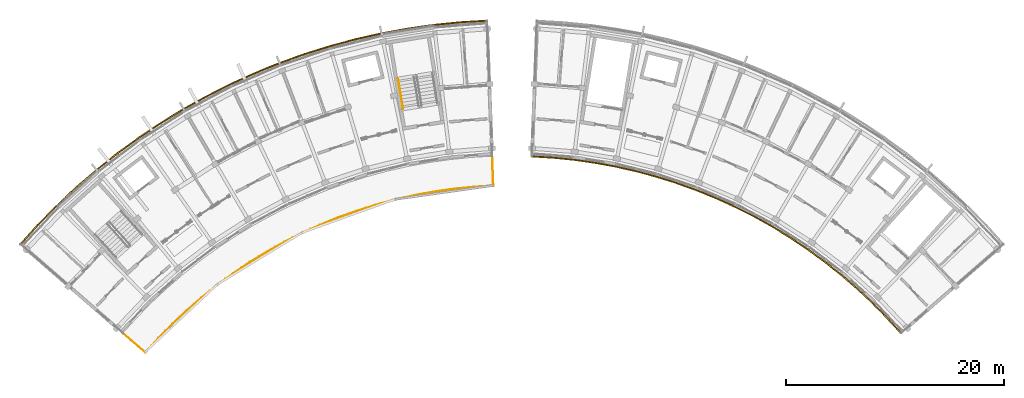
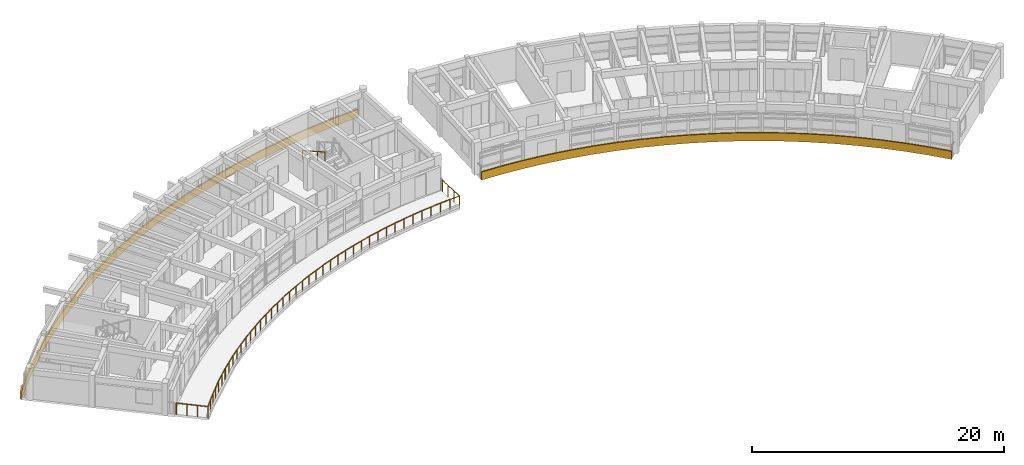
# One storey, part 21 of 23: 4 railings.
"""IFC4 building model written with IfcOpenShell, lengths in metres."""

from ifc_helpers import new_model, si_unit, direction, frame, origin, origin_2d, place, context, subcontext, project, spatial, polyline, circle, outline, extrude, material, type_object, element, save


model = new_model("IFC4")

# Units and contexts
model_context = context("Model", 3, precision=1e-05, world=origin(), true_north=direction((0.0, 1.0)))
body_context = subcontext(model_context, "Body", "Model", "MODEL_VIEW")
ifc_project = project(units=[si_unit("LENGTHUNIT", "METRE"), si_unit("AREAUNIT", "SQUARE_METRE"), si_unit("VOLUMEUNIT", "CUBIC_METRE"), si_unit("PLANEANGLEUNIT", "RADIAN"), si_unit("MASSUNIT", "GRAM", prefix="KILO")], contexts=[model_context])

# Site, building, storey
site_placement = place(None, origin())
site = spatial("IfcSite", under=ifc_project, at=site_placement, CompositionType="ELEMENT")
building_placement = place(site_placement, origin())
building = spatial("IfcBuilding", under=site, at=building_placement, Name="Zimvara Arc Housing Community", CompositionType="ELEMENT")
storey_placement = place(building_placement, frame((0.0, 0.0, 36.0)))
storey = spatial("IfcBuildingStorey", under=building, at=storey_placement, Name="L11", CompositionType="ELEMENT", Elevation=36.0)

# Railings
ifc_material_1 = material(Name="Anodised Aluminium AW-6063", Category="aluminium")
railing_type_1 = type_object("IfcRailingType", Name="RLG-BAL-1120", PredefinedType="BALUSTRADE", material=ifc_material_1)
railing_1_placement = place(storey_placement, frame((9.490966796875, 75.36767578125, 0.0)))
element("IfcRailing", 1, at=railing_1_placement, inside=storey, type_object=railing_type_1, Name="rlg:blkA:L11:terr_guard", PredefinedType="BALUSTRADE", context=body_context, shape_type="SweptSolid", body=[
    extrude(circle(Radius=0.02392578125, at=origin_2d()), frame((0.0, 0.0, 1.09619140625), z_axis=(0.754644377994, -0.656134028047, 0.0), x_axis=(0.656134028047, 0.754644377994, 0.0)), (0.0, 0.0, 1.0), 2.570068359375),
    extrude(circle(Radius=0.02392578125, at=origin_2d()), frame((1.939453125, -1.686279296875, 1.09619140625), z_axis=(0.671300328819, 0.741185448135, 0.0), x_axis=(-0.741185448135, 0.671300328819, 0.0)), (0.0, 0.0, 1.0), 1.816650390625),
    extrude(circle(Radius=0.02392578125, at=origin_2d()), frame((3.158935546875, -0.33984375, 1.09619140625), z_axis=(0.701032894244, 0.713128937281, 0.0), x_axis=(-0.713128937281, 0.701032894244, 0.0)), (0.0, 0.0, 1.0), 1.81640625),
    extrude(circle(Radius=0.02392578125, at=origin_2d()), frame((4.432373046875, 0.95556640625, 1.09619140625), z_axis=(0.729587501819, 0.68388747407, 0.0), x_axis=(-0.68388747407, 0.729587501819, 0.0)), (0.0, 0.0, 1.0), 1.81640625),
    extrude(circle(Radius=0.02392578125, at=origin_2d()), frame((5.757568359375, 2.19775390625, 1.09619140625), z_axis=(0.756889483608, 0.653542890409, 0.0), x_axis=(-0.653542890409, 0.756889483608, 0.0)), (0.0, 0.0, 1.0), 1.816650390625),
    extrude(circle(Radius=0.02392578125, at=origin_2d()), frame((7.132568359375, 3.385009765625, 1.09619140625), z_axis=(0.782962577463, 0.622068808326, 0.0), x_axis=(-0.622068808326, 0.782962577463, 0.0)), (0.0, 0.0, 1.0), 1.81640625),
    extrude(circle(Radius=0.02392578125, at=origin_2d()), frame((8.5546875, 4.514892578125, 1.09619140625), z_axis=(0.807659466461, 0.589649206085, 0.0), x_axis=(-0.589649206085, 0.807659466461, 0.0)), (0.0, 0.0, 1.0), 1.81640625),
    extrude(circle(Radius=0.02392578125, at=origin_2d()), frame((10.021728515625, 5.5859375, 1.09619140625), z_axis=(0.831097968987, 0.556126034228, 0.0), x_axis=(-0.556126034228, 0.831097968987, 0.0)), (0.0, 0.0, 1.0), 1.816650390625),
    extrude(circle(Radius=0.02392578125, at=origin_2d()), frame((11.531494140625, 6.59619140625, 1.09619140625), z_axis=(0.853085749529, 0.52177073888, 0.0), x_axis=(-0.52177073888, 0.853085749529, 0.0)), (0.0, 0.0, 1.0), 1.81640625),
    extrude(circle(Radius=0.02392578125, at=origin_2d()), frame((13.0810546875, 7.5439453125, 1.09619140625), z_axis=(0.873649600774, 0.486555623816, 0.0), x_axis=(-0.486555623816, 0.873649600774, 0.0)), (0.0, 0.0, 1.0), 1.81640625),
    extrude(circle(Radius=0.02392578125, at=origin_2d()), frame((14.66796875, 8.427734375, 1.09619140625), z_axis=(0.892835617584, 0.450382681698, 0.0), x_axis=(-0.450382681698, 0.892835617584, 0.0)), (0.0, 0.0, 1.0), 1.81640625),
    extrude(circle(Radius=0.02392578125, at=origin_2d()), frame((16.289794921875, 9.245849609375, 1.09619140625), z_axis=(0.910472316114, 0.413570020178, 0.0), x_axis=(-0.413570020178, 0.910472316114, 0.0)), (0.0, 0.0, 1.0), 1.81640625),
    extrude(circle(Radius=0.02392578125, at=origin_2d()), frame((17.943603515625, 9.9970703125, 1.09619140625), z_axis=(0.926592481241, 0.376066980347, 0.0), x_axis=(-0.376066980347, 0.926592481241, 0.0)), (0.0, 0.0, 1.0), 1.81640625),
    extrude(circle(Radius=0.02392578125, at=origin_2d()), frame((19.626708984375, 10.68017578125, 1.09619140625), z_axis=(0.941190287283, 0.337876964477, 0.0), x_axis=(-0.337876964477, 0.941190287283, 0.0)), (0.0, 0.0, 1.0), 1.816650390625),
    extrude(circle(Radius=0.02392578125, at=origin_2d()), frame((21.33642578125, 11.2939453125, 1.09619140625), z_axis=(0.95419013661, 0.299200907747, 0.0), x_axis=(-0.299200907747, 0.95419013661, 0.0)), (0.0, 0.0, 1.0), 1.81640625),
    extrude(circle(Radius=0.02392578125, at=origin_2d()), frame((23.069580078125, 11.83740234375, 1.09619140625), z_axis=(0.965596292352, 0.260045765581, 0.0), x_axis=(-0.260045765581, 0.965596292352, 0.0)), (0.0, 0.0, 1.0), 1.816650390625),
    extrude(circle(Radius=0.02392578125, at=origin_2d()), frame((24.82373046875, 12.309814453125, 1.09619140625), z_axis=(0.975431685476, 0.220302126567, 0.0), x_axis=(-0.220302126567, 0.975431685476, 0.0)), (0.0, 0.0, 1.0), 1.81640625),
    extrude(circle(Radius=0.02392578125, at=origin_2d()), frame((26.595458984375, 12.7099609375, 1.09619140625), z_axis=(0.983597814824, 0.180375548988, 0.0), x_axis=(-0.180375548988, 0.983597814824, 0.0)), (0.0, 0.0, 1.0), 1.81640625),
    extrude(circle(Radius=0.02392578125, at=origin_2d()), frame((28.382080078125, 13.03759765625, 1.09619140625), z_axis=(0.990144768658, 0.140047624398, 0.0), x_axis=(-0.140047624398, 0.990144768658, 0.0)), (0.0, 0.0, 1.0), 1.81640625),
    extrude(circle(Radius=0.02392578125, at=origin_2d()), frame((30.1806640625, 13.2919921875, 1.09619140625), z_axis=(0.995042511264, 0.099450494103, 0.0), x_axis=(-0.099450494103, 0.995042511264, 0.0)), (0.0, 0.0, 1.0), 1.816650390625),
    extrude(circle(Radius=0.02392578125, at=origin_2d()), frame((31.98828125, 13.47265625, 1.09619140625), z_axis=(0.998265555755, 0.058871726595, 0.0), x_axis=(-0.058871726595, 0.998265555755, 0.0)), (0.0, 0.0, 1.0), 1.81640625),
    extrude(circle(Radius=0.02392578125, at=origin_2d()), frame((33.801513671875, 13.57958984375, 1.09619140625), z_axis=(-0.038378397593, 0.999263277919, 0.0), x_axis=(-0.999263277919, -0.038378397593, 0.0)), (0.0, 0.0, 1.0), 2.570068359375),
    extrude(circle(Radius=0.02099609375, at=origin_2d()), origin(), (0.0, 0.0, 1.0), 1.072021484375),
    extrude(circle(Radius=0.02099609375, at=origin_2d()), frame((0.646484375, -0.56201171875, 0.0)), (0.0, 0.0, 1.0), 1.072021484375),
    extrude(circle(Radius=0.02099609375, at=origin_2d()), frame((1.29296875, -1.124267578125, 0.0)), (0.0, 0.0, 1.0), 1.072021484375),
    extrude(circle(Radius=0.02099609375, at=origin_2d()), frame((1.939453125, -1.686279296875, 0.0)), (0.0, 0.0, 1.0), 1.072021484375),
    extrude(circle(Radius=0.02099609375, at=origin_2d()), frame((2.54931640625, -1.01318359375, 0.0)), (0.0, 0.0, 1.0), 1.072021484375),
    extrude(circle(Radius=0.02099609375, at=origin_2d()), frame((3.158935546875, -0.33984375, 0.0)), (0.0, 0.0, 1.0), 1.072021484375),
    extrude(circle(Radius=0.02099609375, at=origin_2d()), frame((3.795654296875, 0.307861328125, 0.0)), (0.0, 0.0, 1.0), 1.072021484375),
    extrude(circle(Radius=0.02099609375, at=origin_2d()), frame((4.432373046875, 0.95556640625, 0.0)), (0.0, 0.0, 1.0), 1.072021484375),
    extrude(circle(Radius=0.02099609375, at=origin_2d()), frame((5.094970703125, 1.57666015625, 0.0)), (0.0, 0.0, 1.0), 1.072021484375),
    extrude(circle(Radius=0.02099609375, at=origin_2d()), frame((5.757568359375, 2.19775390625, 0.0)), (0.0, 0.0, 1.0), 1.072021484375),
    extrude(circle(Radius=0.02099609375, at=origin_2d()), frame((6.445068359375, 2.79150390625, 0.0)), (0.0, 0.0, 1.0), 1.072021484375),
    extrude(circle(Radius=0.02099609375, at=origin_2d()), frame((7.132568359375, 3.385009765625, 0.0)), (0.0, 0.0, 1.0), 1.072021484375),
    extrude(circle(Radius=0.02099609375, at=origin_2d()), frame((7.84375, 3.949951171875, 0.0)), (0.0, 0.0, 1.0), 1.072021484375),
    extrude(circle(Radius=0.02099609375, at=origin_2d()), frame((8.5546875, 4.514892578125, 0.0)), (0.0, 0.0, 1.0), 1.072021484375),
    extrude(circle(Radius=0.02099609375, at=origin_2d()), frame((9.2880859375, 5.05029296875, 0.0)), (0.0, 0.0, 1.0), 1.072021484375),
    extrude(circle(Radius=0.02099609375, at=origin_2d()), frame((10.021728515625, 5.5859375, 0.0)), (0.0, 0.0, 1.0), 1.072021484375),
    extrude(circle(Radius=0.02099609375, at=origin_2d()), frame((10.776611328125, 6.091064453125, 0.0)), (0.0, 0.0, 1.0), 1.072021484375),
    extrude(circle(Radius=0.02099609375, at=origin_2d()), frame((11.531494140625, 6.59619140625, 0.0)), (0.0, 0.0, 1.0), 1.072021484375),
    extrude(circle(Radius=0.02099609375, at=origin_2d()), frame((12.30615234375, 7.070068359375, 0.0)), (0.0, 0.0, 1.0), 1.072021484375),
    extrude(circle(Radius=0.02099609375, at=origin_2d()), frame((13.0810546875, 7.5439453125, 0.0)), (0.0, 0.0, 1.0), 1.072021484375),
    extrude(circle(Radius=0.02099609375, at=origin_2d()), frame((13.87451171875, 7.98583984375, 0.0)), (0.0, 0.0, 1.0), 1.072021484375),
    extrude(circle(Radius=0.02099609375, at=origin_2d()), frame((14.66796875, 8.427734375, 0.0)), (0.0, 0.0, 1.0), 1.072021484375),
    extrude(circle(Radius=0.02099609375, at=origin_2d()), frame((15.47900390625, 8.8369140625, 0.0)), (0.0, 0.0, 1.0), 1.072021484375),
    extrude(circle(Radius=0.02099609375, at=origin_2d()), frame((16.289794921875, 9.245849609375, 0.0)), (0.0, 0.0, 1.0), 1.072021484375),
    extrude(circle(Radius=0.02099609375, at=origin_2d()), frame((17.11669921875, 9.62158203125, 0.0)), (0.0, 0.0, 1.0), 1.072021484375),
    extrude(circle(Radius=0.02099609375, at=origin_2d()), frame((17.943603515625, 9.9970703125, 0.0)), (0.0, 0.0, 1.0), 1.072021484375),
    extrude(circle(Radius=0.02099609375, at=origin_2d()), frame((18.78515625, 10.338623046875, 0.0)), (0.0, 0.0, 1.0), 1.072021484375),
    extrude(circle(Radius=0.02099609375, at=origin_2d()), frame((19.626708984375, 10.68017578125, 0.0)), (0.0, 0.0, 1.0), 1.072021484375),
    extrude(circle(Radius=0.02099609375, at=origin_2d()), frame((20.4814453125, 10.987060546875, 0.0)), (0.0, 0.0, 1.0), 1.072021484375),
    extrude(circle(Radius=0.02099609375, at=origin_2d()), frame((21.33642578125, 11.2939453125, 0.0)), (0.0, 0.0, 1.0), 1.072021484375),
    extrude(circle(Radius=0.02099609375, at=origin_2d()), frame((22.203125, 11.565673828125, 0.0)), (0.0, 0.0, 1.0), 1.072021484375),
    extrude(circle(Radius=0.02099609375, at=origin_2d()), frame((23.069580078125, 11.83740234375, 0.0)), (0.0, 0.0, 1.0), 1.072021484375),
    extrude(circle(Radius=0.02099609375, at=origin_2d()), frame((23.94677734375, 12.07373046875, 0.0)), (0.0, 0.0, 1.0), 1.072021484375),
    extrude(circle(Radius=0.02099609375, at=origin_2d()), frame((24.82373046875, 12.309814453125, 0.0)), (0.0, 0.0, 1.0), 1.072021484375),
    extrude(circle(Radius=0.02099609375, at=origin_2d()), frame((25.70947265625, 12.509765625, 0.0)), (0.0, 0.0, 1.0), 1.072021484375),
    extrude(circle(Radius=0.02099609375, at=origin_2d()), frame((26.595458984375, 12.7099609375, 0.0)), (0.0, 0.0, 1.0), 1.072021484375),
    extrude(circle(Radius=0.02099609375, at=origin_2d()), frame((27.48876953125, 12.873779296875, 0.0)), (0.0, 0.0, 1.0), 1.072021484375),
    extrude(circle(Radius=0.02099609375, at=origin_2d()), frame((28.382080078125, 13.03759765625, 0.0)), (0.0, 0.0, 1.0), 1.072021484375),
    extrude(circle(Radius=0.02099609375, at=origin_2d()), frame((29.28125, 13.164794921875, 0.0)), (0.0, 0.0, 1.0), 1.072021484375),
    extrude(circle(Radius=0.02099609375, at=origin_2d()), frame((30.1806640625, 13.2919921875, 0.0)), (0.0, 0.0, 1.0), 1.072021484375),
    extrude(circle(Radius=0.02099609375, at=origin_2d()), frame((31.08447265625, 13.38232421875, 0.0)), (0.0, 0.0, 1.0), 1.072021484375),
    extrude(circle(Radius=0.02099609375, at=origin_2d()), frame((31.98828125, 13.47265625, 0.0)), (0.0, 0.0, 1.0), 1.072021484375),
    extrude(circle(Radius=0.02099609375, at=origin_2d()), frame((32.89501953125, 13.526123046875, 0.0)), (0.0, 0.0, 1.0), 1.072021484375),
    extrude(circle(Radius=0.02099609375, at=origin_2d()), frame((33.801513671875, 13.57958984375, 0.0)), (0.0, 0.0, 1.0), 1.072021484375),
    extrude(circle(Radius=0.02099609375, at=origin_2d()), frame((33.7685546875, 14.435546875, 0.0)), (0.0, 0.0, 1.0), 1.072021484375),
    extrude(circle(Radius=0.02099609375, at=origin_2d()), frame((33.73583984375, 15.291748046875, 0.0)), (0.0, 0.0, 1.0), 1.072021484375),
    extrude(circle(Radius=0.02099609375, at=origin_2d()), frame((33.702880859375, 16.147705078125, 0.0)), (0.0, 0.0, 1.0), 1.072021484375),
])
ifc_material_2 = material(Name="Pale-Gold Anodised Aluminium AW-6063", Category="aluminium")
railing_type_2 = type_object("IfcRailingType", Name="RLG-FAS-780", PredefinedType="BALUSTRADE", material=ifc_material_2)
railing_2_placement = place(storey_placement, frame((0.0, 0.0, -0.219970703125)))
element("IfcRailing", 2, at=railing_2_placement, inside=storey, type_object=railing_type_2, Name="rlg:blkA:L11:gold_out", PredefinedType="BALUSTRADE", context=body_context, shape_type="SweptSolid", body=[
    extrude(outline(polyline([(0.049560546875, 83.574951171875), (1.682373046875, 85.377685546875), (3.387451171875, 87.112060546875), (5.162109375, 88.775634765625), (7.0029296875, 90.365234375), (8.9072265625, 91.87841796875), (10.871826171875, 93.3125), (12.893310546875, 94.665283203125), (14.96826171875, 95.934326171875), (17.09326171875, 97.11767578125), (19.264892578125, 98.213134765625), (21.4794921875, 99.218994140625), (23.733154296875, 100.1337890625), (26.0224609375, 100.955810546875), (28.34326171875, 101.68359375), (30.692138671875, 102.31591796875), (33.064453125, 102.851806640625), (35.45703125, 103.29052734375), (37.865234375, 103.631103515625), (40.28564453125, 103.873046875), (42.713623046875, 104.01611328125), (42.708984375, 104.135986328125), (40.276123046875, 103.99267578125), (37.850830078125, 103.750244140625), (35.437744140625, 103.408935546875), (33.04052734375, 102.969482421875), (30.6630859375, 102.432373046875), (28.309814453125, 101.798583984375), (25.984375, 101.069580078125), (23.6904296875, 100.245849609375), (21.43212890625, 99.329345703125), (19.213134765625, 98.3212890625), (17.037109375, 97.2236328125), (14.90771484375, 96.037841796875), (12.82861328125, 94.766357421875), (10.802978515625, 93.410888671875), (8.834716796875, 91.973876953125), (6.926513671875, 90.457763671875), (5.081787109375, 88.86474609375), (3.3037109375, 87.197998046875), (1.59521484375, 85.4599609375), (-0.041015625, 83.653564453125), (0.049560546875, 83.574951171875)])), origin(), (0.0, 0.0, 1.0), 0.780029296875),
])
railing_3_placement = place(storey_placement, frame((0.0, 0.0, -0.219970703125)))
element("IfcRailing", 3, at=railing_3_placement, inside=storey, type_object=railing_type_2, Name="rlg:blkB:L11:gold_in", PredefinedType="BALUSTRADE", context=body_context, shape_type="SweptSolid", body=[
    extrude(outline(polyline([(46.808837890625, 91.585205078125), (48.729736328125, 91.47216796875), (50.64453125, 91.28076171875), (52.5498046875, 91.01123046875), (54.442626953125, 90.664306640625), (56.319580078125, 90.240234375), (58.177734375, 89.73974609375), (60.013671875, 89.1640625), (61.824951171875, 88.513916015625), (63.60791015625, 87.790283203125), (65.35986328125, 86.994384765625), (67.077880859375, 86.127685546875), (68.759033203125, 85.19140625), (70.400634765625, 84.1875), (72.0, 83.1171875), (73.55419921875, 81.982666015625), (75.060791015625, 80.78564453125), (76.51708984375, 79.528076171875), (77.921142578125, 78.2119140625), (79.27001953125, 76.839599609375), (80.56201171875, 75.41357421875), (80.652587890625, 75.4921875), (79.357421875, 76.922119140625), (78.0048828125, 78.2978515625), (76.597412109375, 79.6171875), (75.13720703125, 80.8779296875), (73.626953125, 82.078125), (72.06884765625, 83.215576171875), (70.46533203125, 84.28857421875), (68.819580078125, 85.295166015625), (67.134033203125, 86.233642578125), (65.41162109375, 87.1025390625), (63.6552734375, 87.900390625), (61.86767578125, 88.6259765625), (60.052001953125, 89.27783203125), (58.211181640625, 89.85498046875), (56.348388671875, 90.356689453125), (54.466552734375, 90.78173828125), (52.569091796875, 91.129638671875), (50.658935546875, 91.39990234375), (48.7392578125, 91.591796875), (46.8134765625, 91.705078125), (46.808837890625, 91.585205078125)])), origin(), (0.0, 0.0, 1.0), 0.780029296875),
])
ifc_material_3 = material(Name="Anodised Aluminium AW-6063", Category="aluminium")
railing_type_3 = type_object("IfcRailingType", Name="RLG-HND-900", PredefinedType="HANDRAIL", material=ifc_material_3)
railing_4_placement = place(storey_placement, frame((34.58056640625, 98.7666015625, 1.705078125)))
element("IfcRailing", 4, at=railing_4_placement, inside=storey, type_object=railing_type_3, Name="L11 ST-A2 stair handrail 2", PredefinedType="HANDRAIL", context=body_context, shape_type="SweptSolid", body=[
    extrude(circle(Radius=0.02392578125, at=origin_2d()), frame((0.0, 0.0, 0.8759765625), z_axis=(0.143721784145, -0.885666177347, 0.441519502474), x_axis=(0.987087819028, 0.160180016, 0.0)), (0.0, 0.0, 1.0), 3.15966796875),
    extrude(circle(Radius=0.02099609375, at=origin_2d()), origin(), (0.0, 0.0, 1.0), 0.851806640625),
    extrude(circle(Radius=0.02099609375, at=origin_2d()), frame((0.1513671875, -0.932861328125, 0.465087890625)), (0.0, 0.0, 1.0), 0.851806640625),
    extrude(circle(Radius=0.02099609375, at=origin_2d()), frame((0.302734375, -1.865478515625, 0.929931640625)), (0.0, 0.0, 1.0), 0.851806640625),
    extrude(circle(Radius=0.02099609375, at=origin_2d()), frame((0.4541015625, -2.79833984375, 1.39501953125)), (0.0, 0.0, 1.0), 0.851806640625),
])

save(model, "model.ifc")
